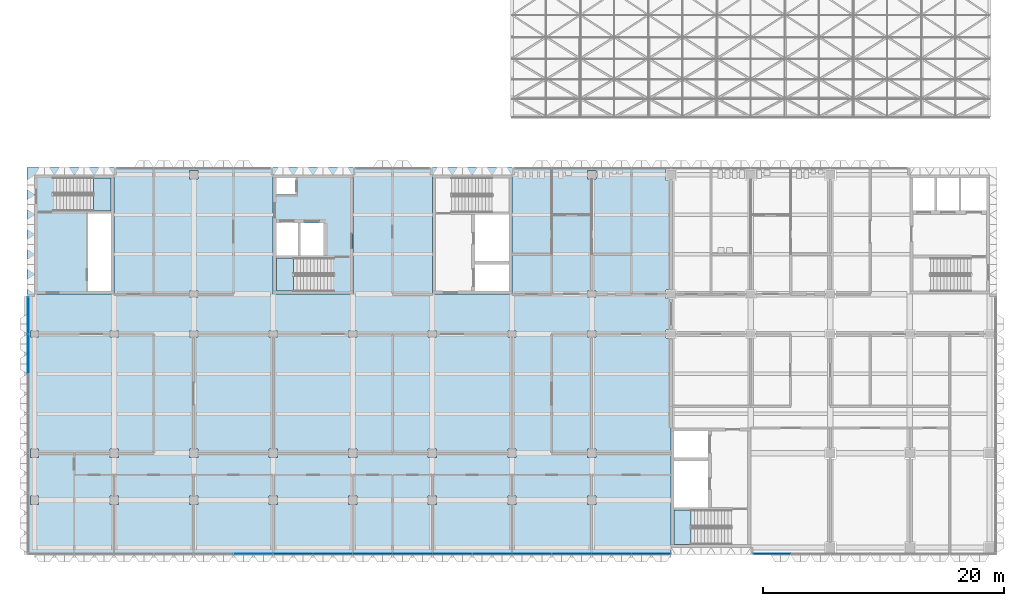
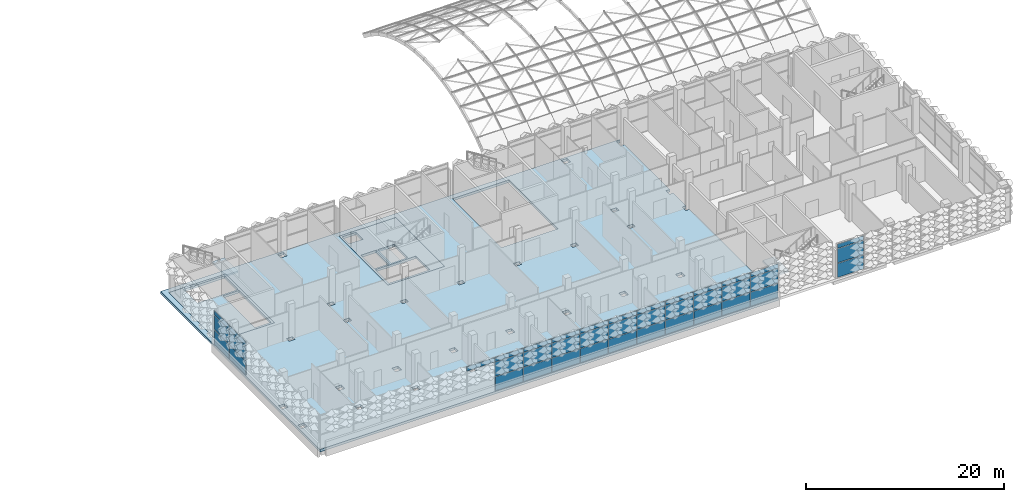
# One storey, part 19 of 85: 40 plates, 6 slabs, 6 elements without a shape of their own.
"""IFC4 building model written with IfcOpenShell, lengths in metres."""

from ifc_helpers import new_model, si_unit, direction, frame, origin, origin_2d, place, context, subcontext, project, spatial, polyline, rectangle, outline, extrude, material, layer, layer_set, type_object, element, aggregate, save


model = new_model("IFC4")

# Units and contexts
model_context = context("Model", 3, precision=1e-05, world=origin(), true_north=direction((0.0, 1.0)))
body_context = subcontext(model_context, "Body", "Model", "MODEL_VIEW")
ifc_project = project(units=[si_unit("LENGTHUNIT", "METRE"), si_unit("AREAUNIT", "SQUARE_METRE"), si_unit("VOLUMEUNIT", "CUBIC_METRE"), si_unit("PLANEANGLEUNIT", "RADIAN"), si_unit("MASSUNIT", "GRAM", prefix="KILO")], contexts=[model_context])

# Site, building, storey
site_placement = place(None, origin())
site = spatial("IfcSite", under=ifc_project, at=site_placement, CompositionType="ELEMENT")
building_placement = place(site_placement, origin())
building = spatial("IfcBuilding", under=site, at=building_placement, Name="Lantern Court Research Institute", CompositionType="ELEMENT")
storey_placement = place(building_placement, frame((0.0, 0.0, 18.89990234375)))
storey = spatial("IfcBuildingStorey", under=building, at=storey_placement, Name="L04", CompositionType="ELEMENT", Elevation=18.89990234375)

# Curtain wall, plates
ifc_material_1 = material(Name="Aluminium alloy 6063-T6", Category="aluminium")
curtain_wall_type_1 = type_object("IfcCurtainWallType", Name="Curtain wall 53400 x 4200 x 150 aluminium frame", PredefinedType="NOTDEFINED", material=ifc_material_1)
curtain_wall_1_placement = place(storey_placement, origin())
curtain_wall_1 = element("IfcCurtainWall", 1, at=curtain_wall_1_placement, inside=storey, type_object=curtain_wall_type_1, Name="Curtain wall CW063", PredefinedType="NOTDEFINED")
ifc_material_2 = material(Name="Insulated aluminium spandrel panel", Category="aluminium")
ifc_layer_1 = layer(ifc_material_2, 0.10009765625)
ifc_layer_set_1 = layer_set([ifc_layer_1], Name="Insulated aluminium spandrel panel")
plate_type_1 = type_object("IfcPlateType", Name="Insulated spandrel panel 100 mm for south sun", PredefinedType="CURTAIN_PANEL", material=ifc_layer_set_1)
plate_1_placement = place(storey_placement, frame((21.449951171875, -8.324951171875, 0.06005859375), z_axis=(0.0, 0.0, 1.0), x_axis=(-1.0, 0.0, 0.0)))
plate_1 = element("IfcPlate", 2, at=plate_1_placement, type_object=plate_type_1, Name="CW063 spandrel panel 7.1", PredefinedType="CURTAIN_PANEL", context=body_context, shape_type="SweptSolid", body=[
    extrude(rectangle(XDim=3.239990234375, YDim=0.10009765625, at=origin_2d()), origin(), (0.0, 0.0, 1.0), 1.7099609375),
])
plate_2_placement = place(storey_placement, frame((24.75, -8.324951171875, 0.06005859375), z_axis=(0.0, 0.0, 1.0), x_axis=(-1.0, 0.0, 0.0)))
plate_2 = element("IfcPlate", 3, at=plate_2_placement, type_object=plate_type_1, Name="CW063 spandrel panel 8.1", PredefinedType="CURTAIN_PANEL", context=body_context, shape_type="SweptSolid", body=[
    extrude(rectangle(XDim=3.239990234375, YDim=0.10009765625, at=origin_2d()), origin(), (0.0, 0.0, 1.0), 1.7099609375),
])
plate_3_placement = place(storey_placement, frame((28.050048828125, -8.324951171875, 0.06005859375), z_axis=(0.0, 0.0, 1.0), x_axis=(-1.0, 0.0, 0.0)))
plate_3 = element("IfcPlate", 4, at=plate_3_placement, type_object=plate_type_1, Name="CW063 spandrel panel 9.1", PredefinedType="CURTAIN_PANEL", context=body_context, shape_type="SweptSolid", body=[
    extrude(rectangle(XDim=3.239990234375, YDim=0.10009765625, at=origin_2d()), origin(), (0.0, 0.0, 1.0), 1.7099609375),
])
plate_4_placement = place(storey_placement, frame((31.35009765625, -8.324951171875, 0.06005859375), z_axis=(0.0, 0.0, 1.0), x_axis=(-1.0, 0.0, 0.0)))
plate_4 = element("IfcPlate", 5, at=plate_4_placement, type_object=plate_type_1, Name="CW063 spandrel panel 10.1", PredefinedType="CURTAIN_PANEL", context=body_context, shape_type="SweptSolid", body=[
    extrude(rectangle(XDim=3.239990234375, YDim=0.10009765625, at=origin_2d()), origin(), (0.0, 0.0, 1.0), 1.7099609375),
])
plate_5_placement = place(storey_placement, frame((34.64990234375, -8.324951171875, 0.06005859375), z_axis=(0.0, 0.0, 1.0), x_axis=(-1.0, 0.0, 0.0)))
plate_5 = element("IfcPlate", 6, at=plate_5_placement, type_object=plate_type_1, Name="CW063 spandrel panel 11.1", PredefinedType="CURTAIN_PANEL", context=body_context, shape_type="SweptSolid", body=[
    extrude(rectangle(XDim=3.239990234375, YDim=0.10009765625, at=origin_2d()), origin(), (0.0, 0.0, 1.0), 1.7099609375),
])
plate_6_placement = place(storey_placement, frame((37.949951171875, -8.324951171875, 0.06005859375), z_axis=(0.0, 0.0, 1.0), x_axis=(-1.0, 0.0, 0.0)))
plate_6 = element("IfcPlate", 7, at=plate_6_placement, type_object=plate_type_1, Name="CW063 spandrel panel 12.1", PredefinedType="CURTAIN_PANEL", context=body_context, shape_type="SweptSolid", body=[
    extrude(rectangle(XDim=3.239990234375, YDim=0.10009765625, at=origin_2d()), origin(), (0.0, 0.0, 1.0), 1.7099609375),
])
plate_7_placement = place(storey_placement, frame((41.25, -8.324951171875, 0.06005859375), z_axis=(0.0, 0.0, 1.0), x_axis=(-1.0, 0.0, 0.0)))
plate_7 = element("IfcPlate", 8, at=plate_7_placement, type_object=plate_type_1, Name="CW063 spandrel panel 13.1", PredefinedType="CURTAIN_PANEL", context=body_context, shape_type="SweptSolid", body=[
    extrude(rectangle(XDim=3.239990234375, YDim=0.10009765625, at=origin_2d()), origin(), (0.0, 0.0, 1.0), 1.7099609375),
])
plate_8_placement = place(storey_placement, frame((44.550048828125, -8.324951171875, 0.06005859375), z_axis=(0.0, 0.0, 1.0), x_axis=(-1.0, 0.0, 0.0)))
plate_8 = element("IfcPlate", 9, at=plate_8_placement, type_object=plate_type_1, Name="CW063 spandrel panel 14.1", PredefinedType="CURTAIN_PANEL", context=body_context, shape_type="SweptSolid", body=[
    extrude(rectangle(XDim=3.239990234375, YDim=0.10009765625, at=origin_2d()), origin(), (0.0, 0.0, 1.0), 1.7099609375),
])
plate_9_placement = place(storey_placement, frame((47.85009765625, -8.324951171875, 0.06005859375), z_axis=(0.0, 0.0, 1.0), x_axis=(-1.0, 0.0, 0.0)))
plate_9 = element("IfcPlate", 10, at=plate_9_placement, type_object=plate_type_1, Name="CW063 spandrel panel 15.1", PredefinedType="CURTAIN_PANEL", context=body_context, shape_type="SweptSolid", body=[
    extrude(rectangle(XDim=3.239990234375, YDim=0.10009765625, at=origin_2d()), origin(), (0.0, 0.0, 1.0), 1.7099609375),
])
plate_10_placement = place(storey_placement, frame((51.135009765625, -8.324951171875, 0.06005859375), z_axis=(0.0, 0.0, 1.0), x_axis=(-1.0, 0.0, 0.0)))
plate_10 = element("IfcPlate", 11, at=plate_10_placement, type_object=plate_type_1, Name="CW063 spandrel panel 16.1", PredefinedType="CURTAIN_PANEL", context=body_context, shape_type="SweptSolid", body=[
    extrude(rectangle(XDim=3.2099609375, YDim=0.10009765625, at=origin_2d()), origin(), (0.0, 0.0, 1.0), 1.7099609375),
])

# Curtain wall, plate
ifc_material_3 = material(Name="Aluminium alloy 6063-T6", Category="aluminium")
curtain_wall_type_2 = type_object("IfcCurtainWallType", Name="Curtain wall 20200 x 4200 x 150 aluminium frame", PredefinedType="NOTDEFINED", material=ifc_material_3)
curtain_wall_2_placement = place(storey_placement, origin())
curtain_wall_2 = element("IfcCurtainWall", 12, at=curtain_wall_2_placement, inside=storey, type_object=curtain_wall_type_2, Name="Curtain wall CW067", PredefinedType="NOTDEFINED")
plate_11_placement = place(storey_placement, frame((61.1650390625, -8.324951171875, 0.06005859375), z_axis=(0.0, 0.0, 1.0), x_axis=(-1.0, 0.0, 0.0)))
plate_11 = element("IfcPlate", 13, at=plate_11_placement, type_object=plate_type_1, Name="CW067 spandrel panel 1.1", PredefinedType="CURTAIN_PANEL", context=body_context, shape_type="SweptSolid", body=[
    extrude(rectangle(XDim=3.010009765625, YDim=0.10009765625, at=origin_2d()), origin(), (0.0, 0.0, 1.0), 1.7099609375),
])

# Curtain wall, plates
ifc_material_4 = material(Name="Aluminium alloy 6063-T6", Category="aluminium")
curtain_wall_type_3 = type_object("IfcCurtainWallType", Name="Curtain wall 21250 x 4200 x 150 aluminium frame", PredefinedType="NOTDEFINED", material=ifc_material_4)
curtain_wall_3_placement = place(storey_placement, origin())
curtain_wall_3 = element("IfcCurtainWall", 14, at=curtain_wall_3_placement, inside=storey, type_object=curtain_wall_type_3, Name="Curtain wall CW064", PredefinedType="NOTDEFINED")
ifc_material_5 = material(Name="Insulated aluminium spandrel panel", Category="aluminium")
ifc_layer_2 = layer(ifc_material_5, 0.080078125)
ifc_layer_set_2 = layer_set([ifc_layer_2], Name="Insulated aluminium spandrel panel")
plate_type_2 = type_object("IfcPlateType", Name="Insulated spandrel panel 80 mm", PredefinedType="CURTAIN_PANEL", material=ifc_layer_set_2)
plate_12_placement = place(storey_placement, frame((-0.52490234375, 8.25, 0.06005859375), z_axis=(0.0, 0.0, 1.0), x_axis=(0.0, 1.0, 0.0)))
plate_12 = element("IfcPlate", 15, at=plate_12_placement, type_object=plate_type_2, Name="CW064 spandrel panel 6.1", PredefinedType="CURTAIN_PANEL", context=body_context, shape_type="SweptSolid", body=[
    extrude(rectangle(XDim=3.239990234375, YDim=0.080078125, at=origin_2d()), origin(), (0.0, 0.0, 1.0), 1.7099609375),
])
plate_13_placement = place(storey_placement, frame((-0.52490234375, 11.43505859375, 0.06005859375), z_axis=(0.0, 0.0, 1.0), x_axis=(0.0, 1.0, 0.0)))
plate_13 = element("IfcPlate", 16, at=plate_13_placement, type_object=plate_type_2, Name="CW064 spandrel panel 7.1", PredefinedType="CURTAIN_PANEL", context=body_context, shape_type="SweptSolid", body=[
    extrude(rectangle(XDim=3.010009765625, YDim=0.080078125, at=origin_2d()), origin(), (0.0, 0.0, 1.0), 1.7099609375),
])
ifc_material_6 = material(Name="Laminated low-emissivity glass", Category="glass")
ifc_layer_3 = layer(ifc_material_6, 0.031982421875)
ifc_layer_set_3 = layer_set([ifc_layer_3], Name="Laminated low-emissivity glass")
plate_type_3 = type_object("IfcPlateType", Name="Laminated low-emissivity unit 32 mm", PredefinedType="CURTAIN_PANEL", material=ifc_layer_set_3)
plate_14_placement = place(storey_placement, frame((-0.52490234375, 8.25, 1.830078125), z_axis=(0.0, 0.0, 1.0), x_axis=(0.0, 1.0, 0.0)))
plate_14 = element("IfcPlate", 17, at=plate_14_placement, type_object=plate_type_3, Name="CW064 glazed panel 6.2", PredefinedType="CURTAIN_PANEL", context=body_context, shape_type="SweptSolid", body=[
    extrude(rectangle(XDim=3.239990234375, YDim=0.031982421875, at=origin_2d()), origin(), (0.0, 0.0, 1.0), 1.739990234375),
])
plate_15_placement = place(storey_placement, frame((-0.52490234375, 8.25, 3.6298828125), z_axis=(0.0, 0.0, 1.0), x_axis=(0.0, 1.0, 0.0)))
plate_15 = element("IfcPlate", 18, at=plate_15_placement, type_object=plate_type_3, Name="CW064 glazed panel 6.3", PredefinedType="CURTAIN_PANEL", context=body_context, shape_type="SweptSolid", body=[
    extrude(rectangle(XDim=3.239990234375, YDim=0.031982421875, at=origin_2d()), origin(), (0.0, 0.0, 1.0), 0.510009765625),
])
plate_16_placement = place(storey_placement, frame((-0.52490234375, 11.43505859375, 1.830078125), z_axis=(0.0, 0.0, 1.0), x_axis=(0.0, 1.0, 0.0)))
plate_16 = element("IfcPlate", 19, at=plate_16_placement, type_object=plate_type_3, Name="CW064 glazed panel 7.2", PredefinedType="CURTAIN_PANEL", context=body_context, shape_type="SweptSolid", body=[
    extrude(rectangle(XDim=3.010009765625, YDim=0.031982421875, at=origin_2d()), origin(), (0.0, 0.0, 1.0), 1.739990234375),
])
plate_17_placement = place(storey_placement, frame((-0.52490234375, 11.43505859375, 3.6298828125), z_axis=(0.0, 0.0, 1.0), x_axis=(0.0, 1.0, 0.0)))
plate_17 = element("IfcPlate", 20, at=plate_17_placement, type_object=plate_type_3, Name="CW064 glazed panel 7.3", PredefinedType="CURTAIN_PANEL", context=body_context, shape_type="SweptSolid", body=[
    extrude(rectangle(XDim=3.010009765625, YDim=0.031982421875, at=origin_2d()), origin(), (0.0, 0.0, 1.0), 0.510009765625),
])
aggregate(curtain_wall_3, [plate_12, plate_14, plate_15, plate_13, plate_16, plate_17])

# Slabs
ifc_material_7 = material(Name="Concrete C35/45", Category="concrete")
ifc_layer_4 = layer(ifc_material_7, 0.300048828125)
ifc_layer_set_4 = layer_set([ifc_layer_4], Name="Concrete C35/45")
slab_type_1 = type_object("IfcSlabType", Name="RC core floor slab 300", PredefinedType="FLOOR", material=ifc_layer_set_4)
slab_1_placement = place(storey_placement, frame((0.0, 0.0, -0.2998046875)))
element("IfcSlab", 21, at=slab_1_placement, inside=storey, type_object=slab_type_1, Name="Floor of core BC-W", PredefinedType="FLOOR", context=body_context, shape_type="SweptSolid", body=[
    extrude(outline(polyline([(0.0, 13.199951171875), (6.60009765625, 13.199951171875), (6.60009765625, 23.10009765625), (0.0, 23.10009765625), (0.0, 13.199951171875)]), holes=[polyline([(1.60009765625, 20.10009765625), (6.35009765625, 20.10009765625), (6.35009765625, 22.85009765625), (1.60009765625, 22.85009765625), (1.60009765625, 20.10009765625)]), polyline([(4.449951171875, 13.449951171875), (4.449951171875, 19.89990234375), (6.35009765625, 19.89990234375), (6.35009765625, 13.449951171875), (4.449951171875, 13.449951171875)])]), origin(), (0.0, 0.0, 1.0), 0.2998046875),
])
slab_2_placement = place(storey_placement, frame((0.0, 0.0, -0.2998046875)))
element("IfcSlab", 22, at=slab_2_placement, inside=storey, type_object=slab_type_1, Name="Floor of core BC-M", PredefinedType="FLOOR", context=body_context, shape_type="SweptSolid", body=[
    extrude(outline(polyline([(19.800048828125, 13.199951171875), (26.39990234375, 13.199951171875), (26.39990234375, 23.10009765625), (19.800048828125, 23.10009765625), (19.800048828125, 13.199951171875)]), holes=[polyline([(24.800048828125, 16.199951171875), (20.050048828125, 16.199951171875), (20.050048828125, 13.449951171875), (24.800048828125, 13.449951171875), (24.800048828125, 16.199951171875)]), polyline([(20.050048828125, 16.39990234375), (21.85009765625, 16.39990234375), (21.85009765625, 19.10009765625), (20.050048828125, 19.10009765625), (20.050048828125, 16.39990234375)]), polyline([(22.050048828125, 16.39990234375), (23.949951171875, 16.39990234375), (23.949951171875, 19.10009765625), (22.050048828125, 19.10009765625), (22.050048828125, 16.39990234375)]), polyline([(21.64990234375, 21.449951171875), (20.050048828125, 21.449951171875), (20.050048828125, 22.85009765625), (21.64990234375, 22.85009765625), (21.64990234375, 21.449951171875)])]), origin(), (0.0, 0.0, 1.0), 0.2998046875),
])
ifc_material_8 = material(Name="Concrete C35/45", Category="concrete")
ifc_layer_5 = layer(ifc_material_8, 0.300048828125)
ifc_layer_set_5 = layer_set([ifc_layer_5], Name="Concrete C35/45")
slab_type_2 = type_object("IfcSlabType", Name="RC floor slab 300", PredefinedType="FLOOR", material=ifc_layer_set_5)
slab_3_placement = place(storey_placement, frame((0.0, 0.0, -0.2998046875)))
element("IfcSlab", 23, at=slab_3_placement, inside=storey, type_object=slab_type_2, Name="Floor slab L04 Wet Laboratory Wing", PredefinedType="FLOOR", context=body_context, shape_type="SweptSolid", body=[
    extrude(outline(polyline([(-0.60009765625, -7.800048828125), (-0.60009765625, -8.39990234375), (52.800048828125, -8.39990234375), (52.800048828125, -7.800048828125), (52.800048828125, 2.10009765625), (52.800048828125, 9.550048828125), (52.35009765625, 9.550048828125), (52.35009765625, 10.25), (52.800048828125, 10.25), (52.800048828125, 12.85009765625), (52.35009765625, 12.85009765625), (52.35009765625, 13.550048828125), (52.800048828125, 13.550048828125), (52.800048828125, 22.64990234375), (52.35009765625, 22.64990234375), (52.35009765625, 23.550048828125), (52.800048828125, 23.550048828125), (52.800048828125, 23.699951171875), (-0.60009765625, 23.699951171875), (-0.60009765625, 23.10009765625), (-0.60009765625, -7.800048828125)]), holes=[polyline([(0.35009765625, -4.25), (-0.35009765625, -4.25), (-0.35009765625, -3.550048828125), (0.35009765625, -3.550048828125), (0.35009765625, -4.25)]), polyline([(26.75, -4.25), (26.050048828125, -4.25), (26.050048828125, -3.550048828125), (26.75, -3.550048828125), (26.75, -4.25)]), polyline([(6.949951171875, -4.25), (6.25, -4.25), (6.25, -3.550048828125), (6.949951171875, -3.550048828125), (6.949951171875, -4.25)]), polyline([(20.14990234375, -4.25), (19.449951171875, -4.25), (19.449951171875, -3.550048828125), (20.14990234375, -3.550048828125), (20.14990234375, -4.25)]), polyline([(13.550048828125, -4.25), (12.85009765625, -4.25), (12.85009765625, -3.550048828125), (13.550048828125, -3.550048828125), (13.550048828125, -4.25)]), polyline([(0.35009765625, -0.35009765625), (-0.35009765625, -0.35009765625), (-0.35009765625, 0.35009765625), (0.35009765625, 0.35009765625), (0.35009765625, -0.35009765625)]), polyline([(26.75, -0.35009765625), (26.050048828125, -0.35009765625), (26.050048828125, 0.35009765625), (26.75, 0.35009765625), (26.75, -0.35009765625)]), polyline([(19.449951171875, -0.35009765625), (19.449951171875, 0.35009765625), (20.14990234375, 0.35009765625), (20.14990234375, -0.35009765625), (19.449951171875, -0.35009765625)]), polyline([(12.85009765625, -0.35009765625), (12.85009765625, 0.35009765625), (13.550048828125, 0.35009765625), (13.550048828125, -0.35009765625), (12.85009765625, -0.35009765625)]), polyline([(6.949951171875, -0.35009765625), (6.25, -0.35009765625), (6.25, 0.35009765625), (6.949951171875, 0.35009765625), (6.949951171875, -0.35009765625)]), polyline([(6.949951171875, 9.64990234375), (6.25, 9.64990234375), (6.25, 10.14990234375), (6.949951171875, 10.14990234375), (6.949951171875, 9.64990234375)]), polyline([(13.550048828125, 9.64990234375), (12.85009765625, 9.64990234375), (12.85009765625, 10.14990234375), (13.550048828125, 10.14990234375), (13.550048828125, 9.64990234375)]), polyline([(19.449951171875, 9.64990234375), (19.449951171875, 10.14990234375), (20.14990234375, 10.14990234375), (20.14990234375, 9.64990234375), (19.449951171875, 9.64990234375)]), polyline([(26.050048828125, 9.64990234375), (26.050048828125, 10.14990234375), (26.75, 10.14990234375), (26.75, 9.64990234375), (26.050048828125, 9.64990234375)]), polyline([(0.35009765625, 9.64990234375), (-0.35009765625, 9.64990234375), (-0.35009765625, 10.14990234375), (0.35009765625, 10.14990234375), (0.35009765625, 9.64990234375)]), polyline([(13.550048828125, 12.949951171875), (12.85009765625, 12.949951171875), (12.85009765625, 13.449951171875), (13.550048828125, 13.449951171875), (13.550048828125, 12.949951171875)]), polyline([(26.39990234375, 13.199951171875), (19.800048828125, 13.199951171875), (19.800048828125, 23.10009765625), (26.39990234375, 23.10009765625), (26.39990234375, 13.199951171875)]), polyline([(0.0, 13.199951171875), (0.0, 23.10009765625), (6.60009765625, 23.10009765625), (6.60009765625, 13.199951171875), (0.0, 13.199951171875)]), polyline([(12.85009765625, 22.75), (12.85009765625, 23.449951171875), (13.550048828125, 23.449951171875), (13.550048828125, 22.75), (12.85009765625, 22.75)]), polyline([(33.35009765625, -4.25), (32.64990234375, -4.25), (32.64990234375, -3.550048828125), (33.35009765625, -3.550048828125), (33.35009765625, -4.25)]), polyline([(39.949951171875, -4.25), (39.25, -4.25), (39.25, -3.550048828125), (39.949951171875, -3.550048828125), (39.949951171875, -4.25)]), polyline([(45.85009765625, -4.25), (45.85009765625, -3.550048828125), (46.550048828125, -3.550048828125), (46.550048828125, -4.25), (45.85009765625, -4.25)]), polyline([(33.35009765625, -0.35009765625), (32.64990234375, -0.35009765625), (32.64990234375, 0.35009765625), (33.35009765625, 0.35009765625), (33.35009765625, -0.35009765625)]), polyline([(39.949951171875, -0.35009765625), (39.25, -0.35009765625), (39.25, 0.35009765625), (39.949951171875, 0.35009765625), (39.949951171875, -0.35009765625)]), polyline([(46.550048828125, -0.35009765625), (45.85009765625, -0.35009765625), (45.85009765625, 0.35009765625), (46.550048828125, 0.35009765625), (46.550048828125, -0.35009765625)]), polyline([(32.64990234375, 9.64990234375), (32.64990234375, 10.14990234375), (33.35009765625, 10.14990234375), (33.35009765625, 9.64990234375), (32.64990234375, 9.64990234375)]), polyline([(39.25, 9.64990234375), (39.25, 10.14990234375), (39.949951171875, 10.14990234375), (39.949951171875, 9.64990234375), (39.25, 9.64990234375)]), polyline([(46.550048828125, 9.64990234375), (45.85009765625, 9.64990234375), (45.85009765625, 10.14990234375), (46.550048828125, 10.14990234375), (46.550048828125, 9.64990234375)]), polyline([(46.550048828125, 12.949951171875), (45.85009765625, 12.949951171875), (45.85009765625, 13.449951171875), (46.550048828125, 13.449951171875), (46.550048828125, 12.949951171875)]), polyline([(39.60009765625, 13.199951171875), (33.0, 13.199951171875), (33.0, 23.10009765625), (39.60009765625, 23.10009765625), (39.60009765625, 13.199951171875)]), polyline([(46.550048828125, 22.75), (45.85009765625, 22.75), (45.85009765625, 23.449951171875), (46.550048828125, 23.449951171875), (46.550048828125, 22.75)])]), origin(), (0.0, 0.0, 1.0), 0.2998046875),
])

# Stair, slab
ifc_material_9 = material(Name="Concrete C40/50", Category="concrete")
stair_type_1 = type_object("IfcStairType", Name="RC half-turn stair 1300 wide, 4500 rise, 6100 shaft", PredefinedType="HALF_TURN_STAIR", material=ifc_material_9)
stair_1_placement = place(storey_placement, origin())
stair_1 = element("IfcStair", 24, at=stair_1_placement, inside=storey, type_object=stair_type_1, Name="L04 stair ST-B1", PredefinedType="HALF_TURN_STAIR")
ifc_material_10 = material(Name="Concrete C40/50", Category="concrete")
ifc_layer_6 = layer(ifc_material_10, 0.199951171875)
ifc_layer_set_6 = layer_set([ifc_layer_6], Name="Concrete C40/50")
slab_type_3 = type_object("IfcSlabType", Name="RC stair landing 200", PredefinedType="LANDING", material=ifc_layer_set_6)
slab_4_placement = place(storey_placement, frame((0.0, 0.0, 2.050048828125)))
slab_4 = element("IfcSlab", 25, at=slab_4_placement, type_object=slab_type_3, Name="ST-B1 landing 1", PredefinedType="LANDING", context=body_context, shape_type="SweptSolid", body=[
    extrude(outline(polyline([(4.909912109375, 20.10009765625), (6.35009765625, 20.10009765625), (6.35009765625, 22.85009765625), (4.909912109375, 22.85009765625), (4.909912109375, 20.10009765625)])), origin(), (0.0, 0.0, 1.0), 0.199951171875),
])
aggregate(stair_1, [slab_4])

stair_2_placement = place(storey_placement, origin())
stair_2 = element("IfcStair", 26, at=stair_2_placement, inside=storey, type_object=stair_type_1, Name="L04 stair ST-B2", PredefinedType="HALF_TURN_STAIR")
slab_5_placement = place(storey_placement, frame((0.0, 0.0, 2.050048828125)))
slab_5 = element("IfcSlab", 27, at=slab_5_placement, type_object=slab_type_3, Name="ST-B2 landing 1", PredefinedType="LANDING", context=body_context, shape_type="SweptSolid", body=[
    extrude(outline(polyline([(21.489990234375, 16.199951171875), (20.050048828125, 16.199951171875), (20.050048828125, 13.449951171875), (21.489990234375, 13.449951171875), (21.489990234375, 16.199951171875)])), origin(), (0.0, 0.0, 1.0), 0.199951171875),
])
aggregate(stair_2, [slab_5])

ifc_material_11 = material(Name="Concrete C40/50", Category="concrete")
stair_type_2 = type_object("IfcStairType", Name="RC half-turn stair 1350 wide, 4500 rise, 6100 shaft", PredefinedType="HALF_TURN_STAIR", material=ifc_material_11)
stair_3_placement = place(storey_placement, origin())
stair_3 = element("IfcStair", 28, at=stair_3_placement, inside=storey, type_object=stair_type_2, Name="L04 stair ST-T1", PredefinedType="HALF_TURN_STAIR")
slab_6_placement = place(storey_placement, frame((0.0, 0.0, 2.050048828125)))
slab_6 = element("IfcSlab", 29, at=slab_6_placement, type_object=slab_type_3, Name="ST-T1 landing 1", PredefinedType="LANDING", context=body_context, shape_type="SweptSolid", body=[
    extrude(outline(polyline([(54.43994140625, -4.699951171875), (53.050048828125, -4.699951171875), (53.050048828125, -7.550048828125), (54.43994140625, -7.550048828125), (54.43994140625, -4.699951171875)])), origin(), (0.0, 0.0, 1.0), 0.199951171875),
])
aggregate(stair_3, [slab_6])

# Plate
ifc_material_12 = material(Name="Laminated low-emissivity glass", Category="glass")
ifc_layer_7 = layer(ifc_material_12, 0.035888671875)
ifc_layer_set_7 = layer_set([ifc_layer_7], Name="Laminated low-emissivity glass")
plate_type_4 = type_object("IfcPlateType", Name="Solar control laminated unit 36 mm", PredefinedType="CURTAIN_PANEL", material=ifc_layer_set_7)
plate_18_placement = place(storey_placement, frame((18.14990234375, -8.324951171875, 3.6298828125), z_axis=(0.0, 0.0, 1.0), x_axis=(-1.0, 0.0, 0.0)))
plate_18 = element("IfcPlate", 30, at=plate_18_placement, type_object=plate_type_4, Name="CW063 glazed panel 6.3", PredefinedType="CURTAIN_PANEL", context=body_context, shape_type="SweptSolid", body=[
    extrude(rectangle(XDim=3.239990234375, YDim=0.035888671875, at=origin_2d()), origin(), (0.0, 0.0, 1.0), 0.510009765625),
])

plate_19_placement = place(storey_placement, frame((21.449951171875, -8.324951171875, 1.830078125), z_axis=(0.0, 0.0, 1.0), x_axis=(-1.0, 0.0, 0.0)))
plate_19 = element("IfcPlate", 31, at=plate_19_placement, type_object=plate_type_4, Name="CW063 glazed panel 7.2", PredefinedType="CURTAIN_PANEL", context=body_context, shape_type="SweptSolid", body=[
    extrude(rectangle(XDim=3.239990234375, YDim=0.035888671875, at=origin_2d()), origin(), (0.0, 0.0, 1.0), 1.739990234375),
])

plate_20_placement = place(storey_placement, frame((21.449951171875, -8.324951171875, 3.6298828125), z_axis=(0.0, 0.0, 1.0), x_axis=(-1.0, 0.0, 0.0)))
plate_20 = element("IfcPlate", 32, at=plate_20_placement, type_object=plate_type_4, Name="CW063 glazed panel 7.3", PredefinedType="CURTAIN_PANEL", context=body_context, shape_type="SweptSolid", body=[
    extrude(rectangle(XDim=3.239990234375, YDim=0.035888671875, at=origin_2d()), origin(), (0.0, 0.0, 1.0), 0.510009765625),
])

plate_21_placement = place(storey_placement, frame((24.75, -8.324951171875, 1.830078125), z_axis=(0.0, 0.0, 1.0), x_axis=(-1.0, 0.0, 0.0)))
plate_21 = element("IfcPlate", 33, at=plate_21_placement, type_object=plate_type_4, Name="CW063 glazed panel 8.2", PredefinedType="CURTAIN_PANEL", context=body_context, shape_type="SweptSolid", body=[
    extrude(rectangle(XDim=3.239990234375, YDim=0.035888671875, at=origin_2d()), origin(), (0.0, 0.0, 1.0), 1.739990234375),
])

plate_22_placement = place(storey_placement, frame((24.75, -8.324951171875, 3.6298828125), z_axis=(0.0, 0.0, 1.0), x_axis=(-1.0, 0.0, 0.0)))
plate_22 = element("IfcPlate", 34, at=plate_22_placement, type_object=plate_type_4, Name="CW063 glazed panel 8.3", PredefinedType="CURTAIN_PANEL", context=body_context, shape_type="SweptSolid", body=[
    extrude(rectangle(XDim=3.239990234375, YDim=0.035888671875, at=origin_2d()), origin(), (0.0, 0.0, 1.0), 0.510009765625),
])

plate_23_placement = place(storey_placement, frame((28.050048828125, -8.324951171875, 1.830078125), z_axis=(0.0, 0.0, 1.0), x_axis=(-1.0, 0.0, 0.0)))
plate_23 = element("IfcPlate", 35, at=plate_23_placement, type_object=plate_type_4, Name="CW063 glazed panel 9.2", PredefinedType="CURTAIN_PANEL", context=body_context, shape_type="SweptSolid", body=[
    extrude(rectangle(XDim=3.239990234375, YDim=0.035888671875, at=origin_2d()), origin(), (0.0, 0.0, 1.0), 1.739990234375),
])

plate_24_placement = place(storey_placement, frame((28.050048828125, -8.324951171875, 3.6298828125), z_axis=(0.0, 0.0, 1.0), x_axis=(-1.0, 0.0, 0.0)))
plate_24 = element("IfcPlate", 36, at=plate_24_placement, type_object=plate_type_4, Name="CW063 glazed panel 9.3", PredefinedType="CURTAIN_PANEL", context=body_context, shape_type="SweptSolid", body=[
    extrude(rectangle(XDim=3.239990234375, YDim=0.035888671875, at=origin_2d()), origin(), (0.0, 0.0, 1.0), 0.510009765625),
])

plate_25_placement = place(storey_placement, frame((31.35009765625, -8.324951171875, 1.830078125), z_axis=(0.0, 0.0, 1.0), x_axis=(-1.0, 0.0, 0.0)))
plate_25 = element("IfcPlate", 37, at=plate_25_placement, type_object=plate_type_4, Name="CW063 glazed panel 10.2", PredefinedType="CURTAIN_PANEL", context=body_context, shape_type="SweptSolid", body=[
    extrude(rectangle(XDim=3.239990234375, YDim=0.035888671875, at=origin_2d()), origin(), (0.0, 0.0, 1.0), 1.739990234375),
])

plate_26_placement = place(storey_placement, frame((31.35009765625, -8.324951171875, 3.6298828125), z_axis=(0.0, 0.0, 1.0), x_axis=(-1.0, 0.0, 0.0)))
plate_26 = element("IfcPlate", 38, at=plate_26_placement, type_object=plate_type_4, Name="CW063 glazed panel 10.3", PredefinedType="CURTAIN_PANEL", context=body_context, shape_type="SweptSolid", body=[
    extrude(rectangle(XDim=3.239990234375, YDim=0.035888671875, at=origin_2d()), origin(), (0.0, 0.0, 1.0), 0.510009765625),
])

plate_27_placement = place(storey_placement, frame((34.64990234375, -8.324951171875, 1.830078125), z_axis=(0.0, 0.0, 1.0), x_axis=(-1.0, 0.0, 0.0)))
plate_27 = element("IfcPlate", 39, at=plate_27_placement, type_object=plate_type_4, Name="CW063 glazed panel 11.2", PredefinedType="CURTAIN_PANEL", context=body_context, shape_type="SweptSolid", body=[
    extrude(rectangle(XDim=3.239990234375, YDim=0.035888671875, at=origin_2d()), origin(), (0.0, 0.0, 1.0), 1.739990234375),
])

plate_28_placement = place(storey_placement, frame((34.64990234375, -8.324951171875, 3.6298828125), z_axis=(0.0, 0.0, 1.0), x_axis=(-1.0, 0.0, 0.0)))
plate_28 = element("IfcPlate", 40, at=plate_28_placement, type_object=plate_type_4, Name="CW063 glazed panel 11.3", PredefinedType="CURTAIN_PANEL", context=body_context, shape_type="SweptSolid", body=[
    extrude(rectangle(XDim=3.239990234375, YDim=0.035888671875, at=origin_2d()), origin(), (0.0, 0.0, 1.0), 0.510009765625),
])

plate_29_placement = place(storey_placement, frame((37.949951171875, -8.324951171875, 1.830078125), z_axis=(0.0, 0.0, 1.0), x_axis=(-1.0, 0.0, 0.0)))
plate_29 = element("IfcPlate", 41, at=plate_29_placement, type_object=plate_type_4, Name="CW063 glazed panel 12.2", PredefinedType="CURTAIN_PANEL", context=body_context, shape_type="SweptSolid", body=[
    extrude(rectangle(XDim=3.239990234375, YDim=0.035888671875, at=origin_2d()), origin(), (0.0, 0.0, 1.0), 1.739990234375),
])

plate_30_placement = place(storey_placement, frame((37.949951171875, -8.324951171875, 3.6298828125), z_axis=(0.0, 0.0, 1.0), x_axis=(-1.0, 0.0, 0.0)))
plate_30 = element("IfcPlate", 42, at=plate_30_placement, type_object=plate_type_4, Name="CW063 glazed panel 12.3", PredefinedType="CURTAIN_PANEL", context=body_context, shape_type="SweptSolid", body=[
    extrude(rectangle(XDim=3.239990234375, YDim=0.035888671875, at=origin_2d()), origin(), (0.0, 0.0, 1.0), 0.510009765625),
])

plate_31_placement = place(storey_placement, frame((41.25, -8.324951171875, 1.830078125), z_axis=(0.0, 0.0, 1.0), x_axis=(-1.0, 0.0, 0.0)))
plate_31 = element("IfcPlate", 43, at=plate_31_placement, type_object=plate_type_4, Name="CW063 glazed panel 13.2", PredefinedType="CURTAIN_PANEL", context=body_context, shape_type="SweptSolid", body=[
    extrude(rectangle(XDim=3.239990234375, YDim=0.035888671875, at=origin_2d()), origin(), (0.0, 0.0, 1.0), 1.739990234375),
])

plate_32_placement = place(storey_placement, frame((41.25, -8.324951171875, 3.6298828125), z_axis=(0.0, 0.0, 1.0), x_axis=(-1.0, 0.0, 0.0)))
plate_32 = element("IfcPlate", 44, at=plate_32_placement, type_object=plate_type_4, Name="CW063 glazed panel 13.3", PredefinedType="CURTAIN_PANEL", context=body_context, shape_type="SweptSolid", body=[
    extrude(rectangle(XDim=3.239990234375, YDim=0.035888671875, at=origin_2d()), origin(), (0.0, 0.0, 1.0), 0.510009765625),
])

plate_33_placement = place(storey_placement, frame((44.550048828125, -8.324951171875, 1.830078125), z_axis=(0.0, 0.0, 1.0), x_axis=(-1.0, 0.0, 0.0)))
plate_33 = element("IfcPlate", 45, at=plate_33_placement, type_object=plate_type_4, Name="CW063 glazed panel 14.2", PredefinedType="CURTAIN_PANEL", context=body_context, shape_type="SweptSolid", body=[
    extrude(rectangle(XDim=3.239990234375, YDim=0.035888671875, at=origin_2d()), origin(), (0.0, 0.0, 1.0), 1.739990234375),
])

plate_34_placement = place(storey_placement, frame((44.550048828125, -8.324951171875, 3.6298828125), z_axis=(0.0, 0.0, 1.0), x_axis=(-1.0, 0.0, 0.0)))
plate_34 = element("IfcPlate", 46, at=plate_34_placement, type_object=plate_type_4, Name="CW063 glazed panel 14.3", PredefinedType="CURTAIN_PANEL", context=body_context, shape_type="SweptSolid", body=[
    extrude(rectangle(XDim=3.239990234375, YDim=0.035888671875, at=origin_2d()), origin(), (0.0, 0.0, 1.0), 0.510009765625),
])

plate_35_placement = place(storey_placement, frame((47.85009765625, -8.324951171875, 1.830078125), z_axis=(0.0, 0.0, 1.0), x_axis=(-1.0, 0.0, 0.0)))
plate_35 = element("IfcPlate", 47, at=plate_35_placement, type_object=plate_type_4, Name="CW063 glazed panel 15.2", PredefinedType="CURTAIN_PANEL", context=body_context, shape_type="SweptSolid", body=[
    extrude(rectangle(XDim=3.239990234375, YDim=0.035888671875, at=origin_2d()), origin(), (0.0, 0.0, 1.0), 1.739990234375),
])

plate_36_placement = place(storey_placement, frame((47.85009765625, -8.324951171875, 3.6298828125), z_axis=(0.0, 0.0, 1.0), x_axis=(-1.0, 0.0, 0.0)))
plate_36 = element("IfcPlate", 48, at=plate_36_placement, type_object=plate_type_4, Name="CW063 glazed panel 15.3", PredefinedType="CURTAIN_PANEL", context=body_context, shape_type="SweptSolid", body=[
    extrude(rectangle(XDim=3.239990234375, YDim=0.035888671875, at=origin_2d()), origin(), (0.0, 0.0, 1.0), 0.510009765625),
])

plate_37_placement = place(storey_placement, frame((51.135009765625, -8.324951171875, 1.830078125), z_axis=(0.0, 0.0, 1.0), x_axis=(-1.0, 0.0, 0.0)))
plate_37 = element("IfcPlate", 49, at=plate_37_placement, type_object=plate_type_4, Name="CW063 glazed panel 16.2", PredefinedType="CURTAIN_PANEL", context=body_context, shape_type="SweptSolid", body=[
    extrude(rectangle(XDim=3.2099609375, YDim=0.035888671875, at=origin_2d()), origin(), (0.0, 0.0, 1.0), 1.739990234375),
])

plate_38_placement = place(storey_placement, frame((51.135009765625, -8.324951171875, 3.6298828125), z_axis=(0.0, 0.0, 1.0), x_axis=(-1.0, 0.0, 0.0)))
plate_38 = element("IfcPlate", 50, at=plate_38_placement, type_object=plate_type_4, Name="CW063 glazed panel 16.3", PredefinedType="CURTAIN_PANEL", context=body_context, shape_type="SweptSolid", body=[
    extrude(rectangle(XDim=3.2099609375, YDim=0.035888671875, at=origin_2d()), origin(), (0.0, 0.0, 1.0), 0.510009765625),
])

aggregate(curtain_wall_1, [plate_18, plate_1, plate_19, plate_20, plate_2, plate_21, plate_22, plate_3, plate_23, plate_24, plate_4, plate_25, plate_26, plate_5, plate_27, plate_28, plate_6, plate_29, plate_30, plate_7, plate_31, plate_32, plate_8, plate_33, plate_34, plate_9, plate_35, plate_36, plate_10, plate_37, plate_38])

plate_39_placement = place(storey_placement, frame((61.1650390625, -8.324951171875, 1.830078125), z_axis=(0.0, 0.0, 1.0), x_axis=(-1.0, 0.0, 0.0)))
plate_39 = element("IfcPlate", 51, at=plate_39_placement, type_object=plate_type_4, Name="CW067 glazed panel 1.2", PredefinedType="CURTAIN_PANEL", context=body_context, shape_type="SweptSolid", body=[
    extrude(rectangle(XDim=3.010009765625, YDim=0.035888671875, at=origin_2d()), origin(), (0.0, 0.0, 1.0), 1.739990234375),
])

plate_40_placement = place(storey_placement, frame((61.1650390625, -8.324951171875, 3.6298828125), z_axis=(0.0, 0.0, 1.0), x_axis=(-1.0, 0.0, 0.0)))
plate_40 = element("IfcPlate", 52, at=plate_40_placement, type_object=plate_type_4, Name="CW067 glazed panel 1.3", PredefinedType="CURTAIN_PANEL", context=body_context, shape_type="SweptSolid", body=[
    extrude(rectangle(XDim=3.010009765625, YDim=0.035888671875, at=origin_2d()), origin(), (0.0, 0.0, 1.0), 0.510009765625),
])

aggregate(curtain_wall_2, [plate_11, plate_39, plate_40])

save(model, "model.ifc")
